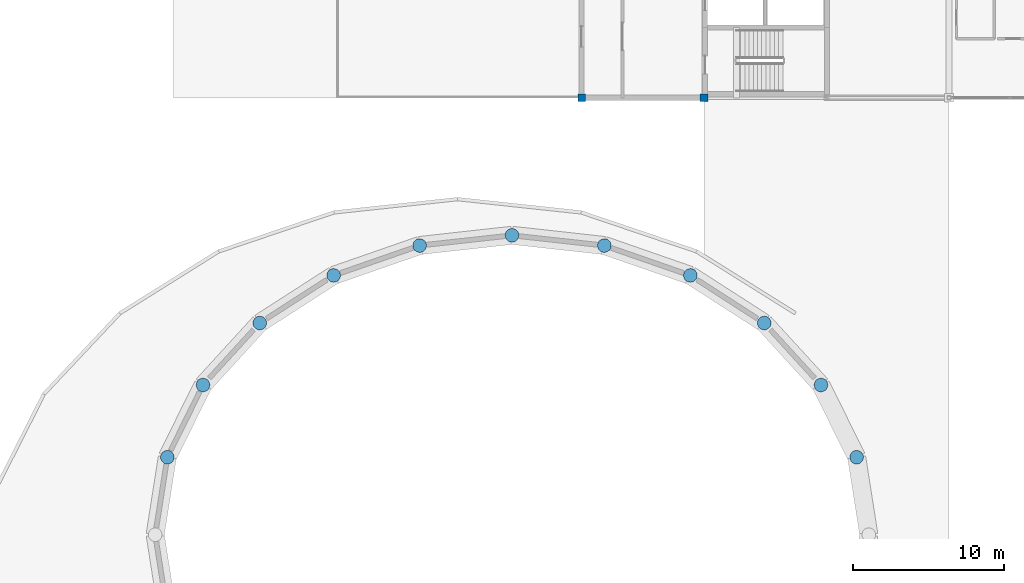
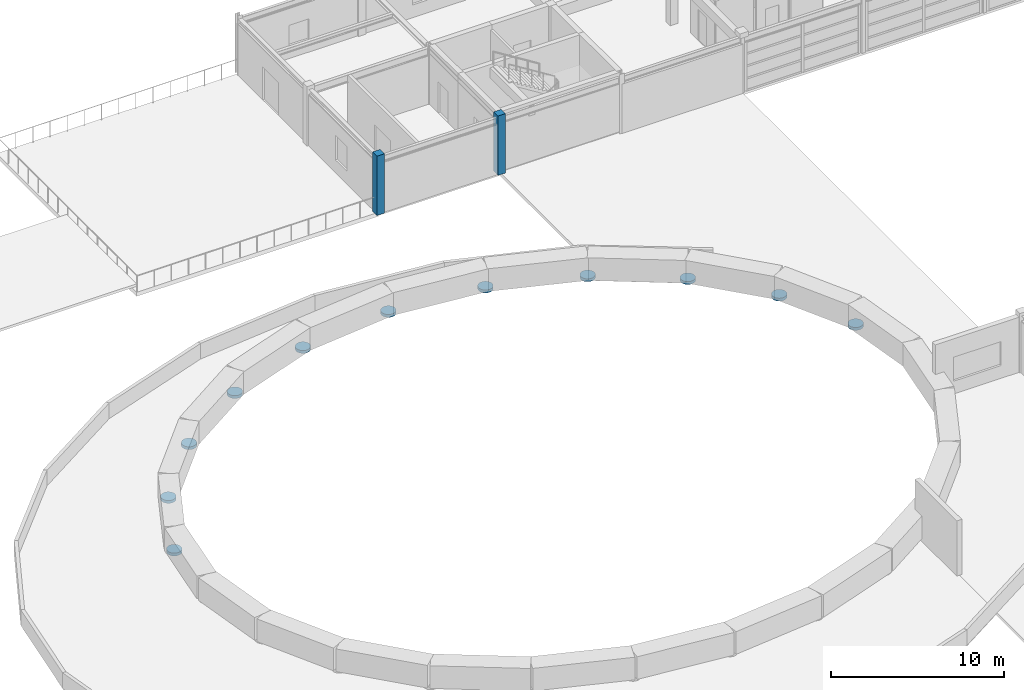
# One storey, part 3 of 26: 13 columns.
"""IFC4 building model written with IfcOpenShell, lengths in metres."""

from ifc_helpers import new_model, si_unit, direction, frame, origin, origin_2d, place, context, subcontext, project, spatial, rectangle, circle, extrude, material, material_profile, profile_set, type_object, element, save


model = new_model("IFC4")

# Units and contexts
model_context = context("Model", 3, precision=1e-05, world=origin(), true_north=direction((0.0, 1.0)))
body_context = subcontext(model_context, "Body", "Model", "MODEL_VIEW")
ifc_project = project(units=[si_unit("LENGTHUNIT", "METRE"), si_unit("AREAUNIT", "SQUARE_METRE"), si_unit("VOLUMEUNIT", "CUBIC_METRE"), si_unit("PLANEANGLEUNIT", "RADIAN"), si_unit("MASSUNIT", "GRAM", prefix="KILO")], contexts=[model_context])

# Site, building, storey
site_placement = place(None, origin())
site = spatial("IfcSite", under=ifc_project, at=site_placement, CompositionType="ELEMENT")
building_placement = place(site_placement, origin())
building = spatial("IfcBuilding", under=site, at=building_placement, Name="Parian Resonance Hall", CompositionType="ELEMENT")
storey_placement = place(building_placement, frame((0.0, 0.0, 19.199951171875)))
storey = spatial("IfcBuildingStorey", under=building, at=storey_placement, Name="L04", CompositionType="ELEMENT", Elevation=19.199951171875)

# Columns
ifc_material_1 = material(Name="Concrete C40/50", Category="concrete")
ifc_material_profile_1 = material_profile(ifc_material_1, rectangle(XDim=0.5, YDim=0.5, at=origin_2d()), Name="RC-COL-500x500")
ifc_profile_set_1 = profile_set([ifc_material_profile_1], Name="Concrete C40/50")
column_type_1 = type_object("IfcColumnType", Name="COL-RC500", PredefinedType="COLUMN", material=ifc_profile_set_1)
for number, where, z_axis, x_axis, name in (
    (1, (48.60009765625, 72.89990234375, 0.0), (0.0, 0.0, 1.0), (1.0, 0.0, 0.0), "Column G07-10 L04"),
    (2, (56.699951171875, 72.89990234375, 0.0), (0.0, 0.0, 1.0), (1.0, 0.0, 0.0), "Column G08-10 L04"),
):
    element("IfcColumn", number, at=place(storey_placement, frame(where, z_axis=z_axis, x_axis=x_axis)), inside=storey, type_object=column_type_1, Name=name, PredefinedType="COLUMN", context=body_context, shape_type="SweptSolid", body=[
        extrude(rectangle(XDim=0.5, YDim=0.5, at=origin_2d()), origin(), (0.0, 0.0, 1.0), 4.199951171875),
    ])
ifc_material_2 = material(Name="Concrete C40/50", Category="concrete")
ifc_material_profile_2 = material_profile(ifc_material_2, circle(Radius=0.449951171875, at=origin_2d()), Name="RC-COL-D900")
ifc_profile_set_2 = profile_set([ifc_material_profile_2], Name="Concrete C40/50")
column_type_2 = type_object("IfcColumnType", Name="COL-RCD900", PredefinedType="COLUMN", material=ifc_profile_set_2)
for number, where, z_axis, x_axis, name in (
    (3, (66.7958984375, 49.12451171875, 0.0), (0.0, 0.0, 1.0), (1.0, 0.0, 0.0), "Column DRM-02 L04"),
    (4, (64.438232421875, 53.89990234375, 0.0), (0.0, 0.0, 1.0), (1.0, 0.0, 0.0), "Column DRM-03 L04"),
    (5, (60.687744140625, 58.000732421875, 0.0), (0.0, 0.0, 1.0), (1.0, 0.0, 0.0), "Column DRM-04 L04"),
    (6, (55.800048828125, 61.147216796875, 0.0), (0.0, 0.0, 1.0), (1.0, 0.0, 0.0), "Column DRM-05 L04"),
    (7, (50.108154296875, 63.125244140625, 0.0), (0.0, 0.0, 1.0), (1.0, 0.0, 0.0), "Column DRM-06 L04"),
    (8, (44.0, 63.800048828125, 0.0), (0.0, 0.0, 1.0), (1.0, 0.0, 0.0), "Column DRM-07 L04"),
    (9, (37.891845703125, 63.125244140625, 0.0), (0.0, 0.0, 1.0), (1.0, 0.0, 0.0), "Column DRM-08 L04"),
    (10, (32.199951171875, 61.147216796875, 0.0), (0.0, 0.0, 1.0), (1.0, 0.0, 0.0), "Column DRM-09 L04"),
    (11, (27.312255859375, 58.000732421875, 0.0), (0.0, 0.0, 1.0), (1.0, 0.0, 0.0), "Column DRM-10 L04"),
    (12, (23.561767578125, 53.89990234375, 0.0), (0.0, 0.0, 1.0), (1.0, 0.0, 0.0), "Column DRM-11 L04"),
    (13, (21.2041015625, 49.12451171875, 0.0), (0.0, 0.0, 1.0), (1.0, 0.0, 0.0), "Column DRM-12 L04"),
):
    element("IfcColumn", number, at=place(storey_placement, frame(where, z_axis=z_axis, x_axis=x_axis)), inside=storey, type_object=column_type_2, Name=name, PredefinedType="COLUMN", context=body_context, shape_type="SweptSolid", body=[
        extrude(circle(Radius=0.449951171875, at=origin_2d()), origin(), (0.0, 0.0, 1.0), 0.199951171875),
    ])

save(model, "model.ifc")
